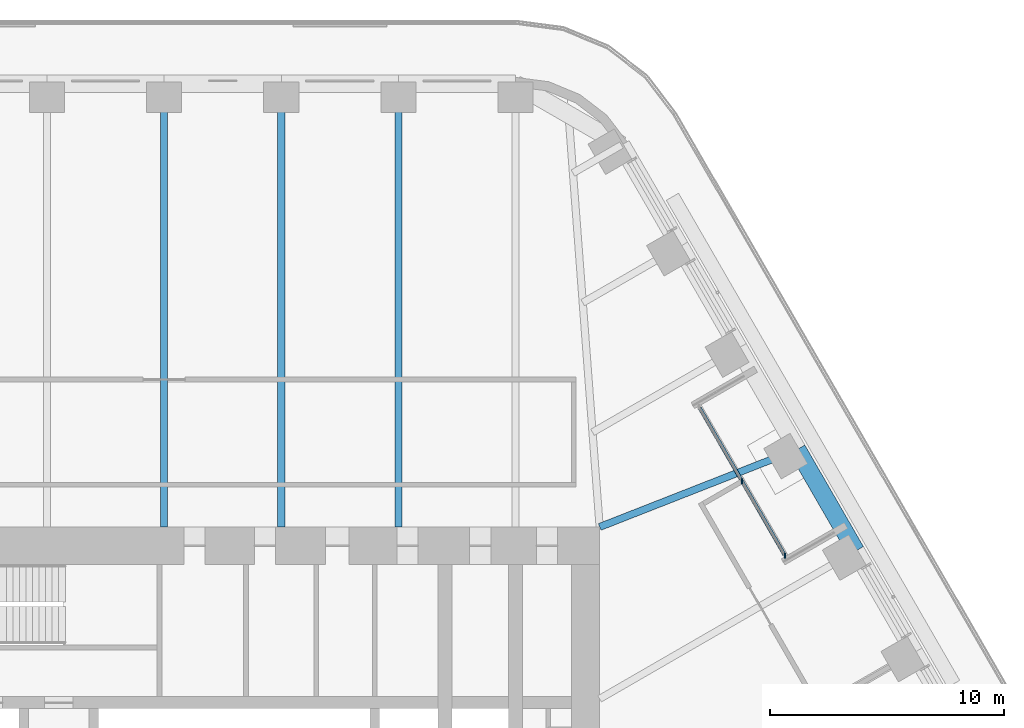
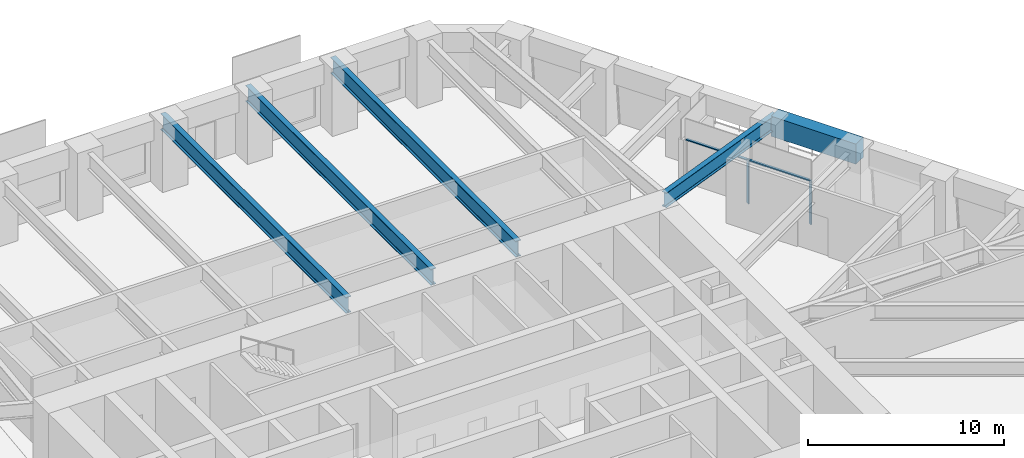
# One storey, part 11 of 24: 5 beams, 3 members, 1 element without a shape of its own.
"""IFC4 building model written with IfcOpenShell, lengths in metres."""

import ifcopenshell
import ifcopenshell.guid

model = None  # the IFC model being written
_history = None  # IfcOwnerHistory: only IFC2X3 demands one
_inside = {}  # id of a spatial element -> (the spatial element, [elements in it])
_under = {}  # id of a project, library or spatial element -> (it, [spatial elements below it])
_declared = {}  # id of a project -> (the project, [libraries it declares])
_typed = {}  # id of a type object -> (the type object, [elements of that type])
_made_of = {}  # id of a material, layer set ... -> (it, [elements and type objects made of it])


def new_model(schema):
    """Start an empty IFC model of exactly this schema.

    Asked for "IFC4X3", IfcOpenShell would pick the latest addendum, in which some entities
    have other attributes; the version numbers below select the first issue.
    IFC2X3 requires an IfcOwnerHistory on every rooted entity: one is made here for all.
    """
    global model, _history
    if schema == "IFC4X3":
        model = ifcopenshell.file(schema_version=(4, 3, 0, 0))
    else:
        model = ifcopenshell.file(schema=schema)
    _inside.clear()
    _under.clear()
    _declared.clear()
    _typed.clear()
    _made_of.clear()
    _history = None
    if model.schema == "IFC2X3":
        org = make("IfcOrganization", Name="unknown")
        user = make(
            "IfcPersonAndOrganization",
            ThePerson=make("IfcPerson", FamilyName="unknown"),
            TheOrganization=org,
        )
        app = make(
            "IfcApplication",
            ApplicationDeveloper=org,
            Version="unknown",
            ApplicationFullName="unknown",
            ApplicationIdentifier="unknown",
        )
        _history = make(
            "IfcOwnerHistory",
            OwningUser=user,
            OwningApplication=app,
            ChangeAction="ADDED",
            CreationDate=0,
        )
    return model


def make(cls, **values):
    """One entity of the class cls with the attributes given. An attribute that is None is left unset."""
    return model.create_entity(
        cls, **{name: value for name, value in values.items() if value is not None}
    )


def rooted(cls, **values):
    """An entity with a GlobalId (a new one), such as an element, a storey or a relation."""
    return make(cls, GlobalId=ifcopenshell.guid.new(), OwnerHistory=_history, **values)


def si_unit(unit_type, name, prefix=None):
    """IfcSIUnit, for example si_unit("LENGTHUNIT", "METRE", prefix="MILLI")."""
    return make("IfcSIUnit", UnitType=unit_type, Prefix=prefix, Name=name)


def assignment(units):
    """IfcUnitAssignment: the units of a project."""
    return None if units is None else make("IfcUnitAssignment", Units=units)


def point(xyz):
    """IfcCartesianPoint."""
    return None if xyz is None else make("IfcCartesianPoint", Coordinates=xyz)


def direction(xyz):
    """IfcDirection."""
    return None if xyz is None else make("IfcDirection", DirectionRatios=xyz)


def frame(location, z_axis=None, x_axis=None):
    """IfcAxis2Placement3D, a coordinate frame: its origin and axes. An axis left out is left unset."""
    return make(
        "IfcAxis2Placement3D",
        Location=point(location),
        Axis=direction(z_axis),
        RefDirection=direction(x_axis),
    )


def frame_2d(location, x_axis=None):
    """IfcAxis2Placement2D, a coordinate frame in the plane: its origin and x axis."""
    return make(
        "IfcAxis2Placement2D", Location=point(location), RefDirection=direction(x_axis)
    )


def origin():
    """The frame at (0, 0, 0) with its axes left unset."""
    return frame((0.0, 0.0, 0.0))


def origin_2d():
    """The frame at (0, 0) in the plane with its x axis left unset."""
    return frame_2d((0.0, 0.0))


def place(relative_to, where):
    """IfcLocalPlacement: puts the frame where relative to a parent placement (None: the world)."""
    return make(
        "IfcLocalPlacement", PlacementRelTo=relative_to, RelativePlacement=where
    )


def context(
    kind, dimensions, precision=None, world=None, true_north=None, identifier=None
):
    """IfcGeometricRepresentationContext, for example the 3D "Model" context."""
    return make(
        "IfcGeometricRepresentationContext",
        ContextIdentifier=identifier,
        ContextType=kind,
        CoordinateSpaceDimension=dimensions,
        Precision=precision,
        WorldCoordinateSystem=world,
        TrueNorth=true_north,
    )


def subcontext(parent, identifier, kind, view, scale=None):
    """IfcGeometricRepresentationSubContext, for example "Body" below "Model"."""
    return make(
        "IfcGeometricRepresentationSubContext",
        ContextIdentifier=identifier,
        ContextType=kind,
        ParentContext=parent,
        TargetScale=scale,
        TargetView=view,
    )


def project(units=None, contexts=None):
    """IfcProject with its units and contexts."""
    return rooted(
        "IfcProject",
        Name="project",
        RepresentationContexts=contexts,
        UnitsInContext=assignment(units),
    )


def spatial(cls, under=None, at=None, **own):
    """A site, building, storey or space (cls), placed at a placement, below another one or the project."""
    s = rooted(cls, ObjectPlacement=at, **own)
    if under is not None:
        _under.setdefault(under.id(), (under, []))[1].append(s)
    return s


def profile(cls, at=None, kind="AREA", **sizes):
    """A parametric profile (cls). Its sizes go by their IFC names, for example OverallWidth=200.0."""
    return make(cls, ProfileType=kind, Position=at, **sizes)


def rectangle(**sizes):
    """IfcRectangleProfileDef."""
    return profile("IfcRectangleProfileDef", **sizes)


def i_section(**sizes):
    """IfcIShapeProfileDef."""
    return profile("IfcIShapeProfileDef", **sizes)


def extrude(swept, where, along, depth):
    """IfcExtrudedAreaSolid: the profile swept, set in the frame where, extruded along a direction by depth."""
    return make(
        "IfcExtrudedAreaSolid",
        SweptArea=swept,
        Position=where,
        ExtrudedDirection=direction(along),
        Depth=depth,
    )


def shape(context_of_items, identifier, shape_type, items):
    """IfcShapeRepresentation: the items that make up one representation, for example the "Body"."""
    return make(
        "IfcShapeRepresentation",
        ContextOfItems=context_of_items,
        RepresentationIdentifier=identifier,
        RepresentationType=shape_type,
        Items=items,
    )


def material(Name=None, Category=None):
    """IfcMaterial."""
    return make("IfcMaterial", Name=Name, Category=Category)


def material_profile(
    of_material, cross_section, Name=None, Category=None, Priority=None
):
    """IfcMaterialProfile: a cross section and its material."""
    return make(
        "IfcMaterialProfile",
        Name=Name,
        Material=of_material,
        Profile=cross_section,
        Priority=Priority,
        Category=Category,
    )


def profile_set(profiles, Name=None, composite=None):
    """IfcMaterialProfileSet."""
    return make(
        "IfcMaterialProfileSet",
        Name=Name,
        MaterialProfiles=profiles,
        CompositeProfile=composite,
    )


def made_of(thing, what):
    """Note that an element or type object is made of a material, layer set ...; save() writes the relation."""
    if what is not None:
        _made_of.setdefault(what.id(), (what, []))[1].append(thing)
    return thing


def type_object(cls, material=None, **own):
    """A type object (cls), such as IfcWallType, which elements share."""
    return made_of(rooted(cls, **own), material)


def element(
    cls,
    number,
    at=None,
    inside=None,
    cuts=None,
    type_object=None,
    material=None,
    context=None,
    identifier="Body",
    shape_type=None,
    held_by="IfcProductDefinitionShape",
    body=None,
    shapes=None,
    **own,
):
    """One element of the class cls, such as IfcWall. Its Tag is "e" and its number.

    at: its placement. inside: the storey or other place that contains it. cuts: it is an
    opening in that element (IfcRelVoidsElement). A single representation is given by context,
    identifier, shape_type and body (its items); several are given by shapes. held_by: the class
    of the entity that holds the representations. save() writes the other relations.
    """
    e = rooted(cls, Tag="e%d" % number, ObjectPlacement=at, **own)
    if body is not None:
        shapes = [shape(context, identifier, shape_type, body)]
    if shapes is not None:
        e.Representation = make(held_by, Representations=shapes)
    if inside is not None:
        _inside.setdefault(inside.id(), (inside, []))[1].append(e)
    if cuts is not None:
        rooted(
            "IfcRelVoidsElement", RelatingBuildingElement=cuts, RelatedOpeningElement=e
        )
    if type_object is not None:
        _typed.setdefault(type_object.id(), (type_object, []))[1].append(e)
    return made_of(e, material)


def aggregate(whole, parts):
    """IfcRelAggregates: a whole, such as a stair, and the parts it consists of."""
    return rooted("IfcRelAggregates", RelatingObject=whole, RelatedObjects=parts)


def save(model, path):
    """Write the relations noted so far, then the file.

    IfcRelAggregates (storeys below a building ...), IfcRelContainedInSpatialStructure (elements
    in a storey), IfcRelDefinesByType, IfcRelAssociatesMaterial and IfcRelDeclares: one each for
    every whole, place, type object, material and project.
    """
    for whole, parts in _under.values():
        aggregate(whole, parts)
    for where, things in _inside.values():
        rooted(
            "IfcRelContainedInSpatialStructure",
            RelatedElements=things,
            RelatingStructure=where,
        )
    for kind, things in _typed.values():
        rooted("IfcRelDefinesByType", RelatedObjects=things, RelatingType=kind)
    for what, things in _made_of.values():
        rooted("IfcRelAssociatesMaterial", RelatedObjects=things, RelatingMaterial=what)
    for by, libraries in _declared.values():
        rooted("IfcRelDeclares", RelatingContext=by, RelatedDefinitions=libraries)
    model.write(path)


model = new_model("IFC4")

# Units and contexts
model_context = context("Model", 3, precision=1e-05, world=origin(), true_north=direction((0.0, 1.0)))
body_context = subcontext(model_context, "Body", "Model", "MODEL_VIEW")
ifc_project = project(units=[si_unit("LENGTHUNIT", "METRE"), si_unit("AREAUNIT", "SQUARE_METRE"), si_unit("VOLUMEUNIT", "CUBIC_METRE"), si_unit("PLANEANGLEUNIT", "RADIAN"), si_unit("MASSUNIT", "GRAM", prefix="KILO")], contexts=[model_context])

# Site, building, storey
site_placement = place(None, origin())
site = spatial("IfcSite", under=ifc_project, at=site_placement, CompositionType="ELEMENT")
building_placement = place(site_placement, origin())
building = spatial("IfcBuilding", under=site, at=building_placement, Name="Tarfa Lantern Tower", CompositionType="ELEMENT")
storey_placement = place(building_placement, frame((0.0, 0.0, 182.5)))
storey = spatial("IfcBuildingStorey", under=building, at=storey_placement, Name="L41", CompositionType="ELEMENT", Elevation=182.5)

# Curtain wall, members
ifc_material_1 = material(Name="Aluminium framed curtain wall", Category="aluminium")
curtain_wall_type = type_object("IfcCurtainWallType", Name="CW10 LOGGIA GLAZING 2750", PredefinedType="USERDEFINED", material=ifc_material_1)
curtain_wall_placement = place(storey_placement, origin())
curtain_wall = element("IfcCurtainWall", 1, at=curtain_wall_placement, inside=storey, type_object=curtain_wall_type, Name="CW10 NEL L41", ObjectType="CURTAIN WALL", PredefinedType="USERDEFINED")
ifc_material_2 = material(Name="Aluminium mullion", Category="aluminium")
ifc_material_profile_1 = material_profile(ifc_material_2, rectangle(XDim=0.06494140625, YDim=0.199951171875, at=origin_2d()), Name="AL MULLION 65x200")
ifc_profile_set_1 = profile_set([ifc_material_profile_1], Name="Aluminium mullion")
member_type_1 = type_object("IfcMemberType", Name="CWM1 MULLION 65x200", PredefinedType="MULLION", material=ifc_profile_set_1)
member_1_placement = place(storey_placement, frame((26.517333984375, 11.070556640625, 0.0), z_axis=(0.0, 0.0, 1.0), x_axis=(1.0, 0.0, 0.0)))
member_1 = element("IfcMember", 2, at=member_1_placement, type_object=member_type_1, Name="CW10 mullion 1", PredefinedType="MULLION", context=body_context, shape_type="SweptSolid", body=[
    extrude(rectangle(XDim=0.06494140625, YDim=0.199951171875, at=origin_2d()), origin(), (0.0, 0.0, 1.0), 2.75),
])
member_2_placement = place(storey_placement, frame((24.681640625, 14.25, 0.0), z_axis=(0.0, 0.0, 1.0), x_axis=(1.0, 0.0, 0.0)))
member_2 = element("IfcMember", 3, at=member_2_placement, type_object=member_type_1, Name="CW10 mullion 2", PredefinedType="MULLION", context=body_context, shape_type="SweptSolid", body=[
    extrude(rectangle(XDim=0.06494140625, YDim=0.199951171875, at=origin_2d()), origin(), (0.0, 0.0, 1.0), 2.75),
])
ifc_material_3 = material(Name="Aluminium transom", Category="aluminium")
ifc_material_profile_2 = material_profile(ifc_material_3, rectangle(XDim=0.14990234375, YDim=0.06494140625, at=origin_2d()), Name="AL TRANSOM 150x65")
ifc_profile_set_2 = profile_set([ifc_material_profile_2], Name="Aluminium transom")
member_type_2 = type_object("IfcMemberType", Name="CWT1 TRANSOM 150x65", PredefinedType="USERDEFINED", material=ifc_profile_set_2)
member_3_placement = place(storey_placement, frame((26.5009765625, 11.098876953125, 2.717529296875), z_axis=(-0.500007048974, 0.866021334019, 0.0), x_axis=(-0.866021334019, -0.500007048974, 0.0)))
member_3 = element("IfcMember", 4, at=member_3_placement, type_object=member_type_2, Name="CW10 transom 1.2", ObjectType="TRANSOM", PredefinedType="USERDEFINED", context=body_context, shape_type="SweptSolid", body=[
    extrude(rectangle(XDim=0.14990234375, YDim=0.06494140625, at=origin_2d()), origin(), (0.0, 0.0, 1.0), 7.27734375),
])
aggregate(curtain_wall, [member_1, member_2, member_3])

# Beams
ifc_material_4 = material(Name="Concrete C80/95", Category="concrete")
ifc_material_profile_3 = material_profile(ifc_material_4, rectangle(XDim=0.75, YDim=1.25, at=origin_2d()), Name="RC 750x1250")
ifc_profile_set_3 = profile_set([ifc_material_profile_3], Name="Concrete C80/95")
beam_type_1 = type_object("IfcBeamType", Name="EB2 RC 750x1250", PredefinedType="SPANDREL", material=ifc_profile_set_3)
beam_1_placement = place(storey_placement, frame((29.5390625, 11.276611328125, 3.375), z_axis=(-0.499964603504, 0.866045838996, 0.0), x_axis=(-0.866045838996, -0.499964603504, 0.0)))
element("IfcBeam", 5, at=beam_1_placement, inside=storey, type_object=beam_type_1, Name="Edge beam NE2", PredefinedType="SPANDREL", context=body_context, shape_type="SweptSolid", body=[
    extrude(rectangle(XDim=0.75, YDim=1.25, at=origin_2d()), origin(), (0.0, 0.0, 1.0), 5.003662109375),
])
ifc_material_5 = material(Name="Steel S460M", Category="steel")
ifc_material_profile_4 = material_profile(ifc_material_5, i_section(OverallWidth=0.302001953125, OverallDepth=1.008056640625, WebThickness=0.02099609375, FlangeThickness=0.0400390625, FilletRadius=0.030029296875, at=origin_2d()), Name="UB1016x305x349")
ifc_profile_set_4 = profile_set([ifc_material_profile_4], Name="Steel S460M")
beam_type_2 = type_object("IfcBeamType", Name="UB1016x305x349", PredefinedType="BEAM", material=ifc_profile_set_4)
for number, where, z_axis, x_axis, name in (
    (6, (10.00732421875, 31.219970703125, 3.495849609375), (0.0, -1.0, 0.0), (1.0, 0.0, 0.0), "Floor beam N1"),
    (7, (5.003662109375, 31.219970703125, 3.495849609375), (0.0, -1.0, 0.0), (1.0, 0.0, 0.0), "Floor beam N2"),
    (8, (0.0, 31.219970703125, 3.495849609375), (0.0, -1.0, 0.0), (1.0, 0.0, 0.0), "Floor beam N3"),
):
    element("IfcBeam", number, at=place(storey_placement, frame(where, z_axis=z_axis, x_axis=x_axis)), inside=storey, type_object=beam_type_2, Name=name, PredefinedType="BEAM", context=body_context, shape_type="SweptSolid", body=[
        extrude(i_section(OverallWidth=0.302001953125, OverallDepth=1.008056640625, WebThickness=0.02099609375, FlangeThickness=0.0400390625, FilletRadius=0.030029296875, at=origin_2d()), origin(), (0.0, 0.0, 1.0), 18.919921875),
    ])
ifc_material_profile_5 = material_profile(ifc_material_5, i_section(OverallWidth=0.305419921875, OverallDepth=0.91845703125, WebThickness=0.017333984375, FlangeThickness=0.02783203125, FilletRadius=0.01904296875, at=origin_2d()), Name="UB914x305x253")
ifc_profile_set_5 = profile_set([ifc_material_profile_5], Name="Steel S460M")
beam_type_3 = type_object("IfcBeamType", Name="UB914x305x253", PredefinedType="BEAM", material=ifc_profile_set_5)
beam_2_placement = place(storey_placement, frame((27.037353515625, 15.610107421875, 3.540771484375), z_axis=(-0.930923282782, -0.365214788274, 0.0), x_axis=(0.365214788274, -0.930923282782, 0.0)))
element("IfcBeam", 9, at=beam_2_placement, inside=storey, type_object=beam_type_3, Name="Floor beam NE3", PredefinedType="BEAM", context=body_context, shape_type="SweptSolid", body=[
    extrude(i_section(OverallWidth=0.305419921875, OverallDepth=0.91845703125, WebThickness=0.017333984375, FlangeThickness=0.02783203125, FilletRadius=0.01904296875, at=origin_2d()), origin(), (0.0, 0.0, 1.0), 9.063232421875),
])

save(model, "model.ifc")
